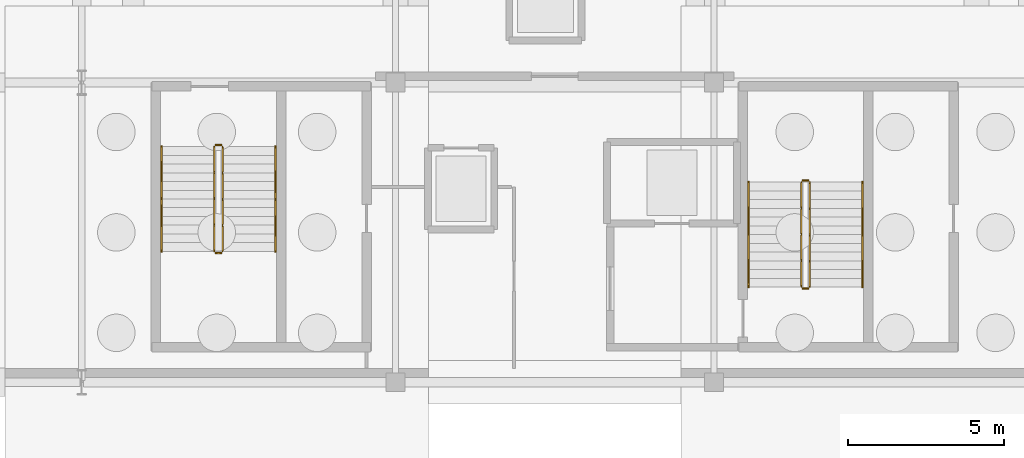
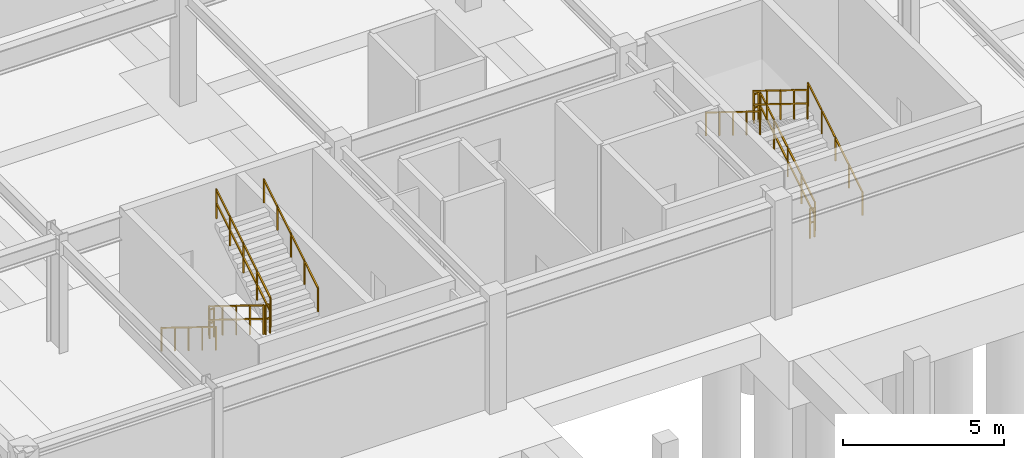
# One storey, part 50 of 59: 12 railings.
"""IFC4 building model written with IfcOpenShell, lengths in metres."""

from ifc_helpers import new_model, si_unit, direction, frame, origin, origin_2d, place, context, subcontext, project, spatial, rectangle, extrude, material, type_object, element, save


model = new_model("IFC4")

# Units and contexts
model_context = context("Model", 3, precision=1e-05, world=origin(), true_north=direction((0.0, 1.0)))
body_context = subcontext(model_context, "Body", "Model", "MODEL_VIEW")
ifc_project = project(units=[si_unit("LENGTHUNIT", "METRE"), si_unit("AREAUNIT", "SQUARE_METRE"), si_unit("VOLUMEUNIT", "CUBIC_METRE"), si_unit("PLANEANGLEUNIT", "RADIAN"), si_unit("MASSUNIT", "GRAM", prefix="KILO")], contexts=[model_context])

# Site, building, storey
site_placement = place(None, origin())
site = spatial("IfcSite", under=ifc_project, at=site_placement, CompositionType="ELEMENT")
building_placement = place(site_placement, origin())
building = spatial("IfcBuilding", under=site, at=building_placement, Name="Myrtia Square Station", CompositionType="ELEMENT")
storey_placement = place(building_placement, frame((0.0, 0.0, -4.5)))
storey = spatial("IfcBuildingStorey", under=building, at=storey_placement, Name="B01", CompositionType="ELEMENT", Elevation=-4.5)

# Railings
ifc_material_1 = material(Name="Dark bronze anodised aluminium", Category="aluminium")
railing_type_1 = type_object("IfcRailingType", Name="RL-HANDRAIL-900", PredefinedType="HANDRAIL", material=ifc_material_1)
railing_1_placement = place(storey_placement, frame((81.89990234375, 36.35009765625, 0.173095703125)))
element("IfcRailing", 1, at=railing_1_placement, inside=storey, type_object=railing_type_1, Name="B01 ST01 stair handrail 1", PredefinedType="HANDRAIL", context=body_context, shape_type="SweptSolid", body=[
    extrude(rectangle(XDim=0.048095703125, YDim=0.048095703125, at=origin_2d()), frame((0.0, -0.029541015625, 0.89404296875), z_axis=(0.0, -0.850623216509, 0.525775754039), x_axis=(1.0, 0.0, 0.0)), (0.0, 0.0, 1.0), 0.918212890625),
    extrude(rectangle(XDim=0.048095703125, YDim=0.048095703125, at=origin_2d()), frame((0.0, -0.869384765625, 1.413330078125), z_axis=(0.0, -0.850623216509, 0.525775754039), x_axis=(1.0, 0.0, 0.0)), (0.0, 0.0, 1.0), 0.918212890625),
    extrude(rectangle(XDim=0.048095703125, YDim=0.048095703125, at=origin_2d()), frame((0.0, -1.70947265625, 1.9326171875), z_axis=(0.0, -0.850623216509, 0.525775754039), x_axis=(1.0, 0.0, 0.0)), (0.0, 0.0, 1.0), 0.918212890625),
    extrude(rectangle(XDim=0.048095703125, YDim=0.048095703125, at=origin_2d()), frame((0.0, -2.549560546875, 2.45166015625), z_axis=(0.0, -0.850623216509, 0.525775754039), x_axis=(1.0, 0.0, 0.0)), (0.0, 0.0, 1.0), 0.918212890625),
    extrude(rectangle(XDim=0.0439453125, YDim=0.0439453125, at=origin_2d()), origin(), (0.0, 0.0, 1.0), 0.89990234375),
    extrude(rectangle(XDim=0.0439453125, YDim=0.0439453125, at=origin_2d()), frame((0.0, -0.840087890625, 0.519287109375)), (0.0, 0.0, 1.0), 0.89990234375),
    extrude(rectangle(XDim=0.0439453125, YDim=0.0439453125, at=origin_2d()), frame((0.0, -1.68017578125, 1.03857421875)), (0.0, 0.0, 1.0), 0.89990234375),
    extrude(rectangle(XDim=0.0439453125, YDim=0.0439453125, at=origin_2d()), frame((0.0, -2.52001953125, 1.5576171875)), (0.0, 0.0, 1.0), 0.89990234375),
    extrude(rectangle(XDim=0.0439453125, YDim=0.0439453125, at=origin_2d()), frame((0.0, -3.360107421875, 2.076904296875)), (0.0, 0.0, 1.0), 0.89990234375),
])
railing_2_placement = place(storey_placement, frame((85.56005859375, 32.989990234375, 2.423095703125)))
element("IfcRailing", 2, at=railing_2_placement, inside=storey, type_object=railing_type_1, Name="B01 ST01 stair handrail 2", PredefinedType="HANDRAIL", context=body_context, shape_type="SweptSolid", body=[
    extrude(rectangle(XDim=0.048095703125, YDim=0.048095703125, at=origin_2d()), frame((0.0, 0.029541015625, 0.89404296875), z_axis=(0.0, 0.850623216509, 0.525775754039), x_axis=(-1.0, 0.0, 0.0)), (0.0, 0.0, 1.0), 0.918212890625),
    extrude(rectangle(XDim=0.048095703125, YDim=0.048095703125, at=origin_2d()), frame((0.0, 0.869384765625, 1.413330078125), z_axis=(0.0, 0.850623216509, 0.525775754039), x_axis=(-1.0, 0.0, 0.0)), (0.0, 0.0, 1.0), 0.918212890625),
    extrude(rectangle(XDim=0.048095703125, YDim=0.048095703125, at=origin_2d()), frame((0.0, 1.70947265625, 1.9326171875), z_axis=(0.0, 0.850623216509, 0.525775754039), x_axis=(-1.0, 0.0, 0.0)), (0.0, 0.0, 1.0), 0.918212890625),
    extrude(rectangle(XDim=0.048095703125, YDim=0.048095703125, at=origin_2d()), frame((0.0, 2.549560546875, 2.45166015625), z_axis=(0.0, 0.850623216509, 0.525775754039), x_axis=(-1.0, 0.0, 0.0)), (0.0, 0.0, 1.0), 0.918212890625),
    extrude(rectangle(XDim=0.0439453125, YDim=0.0439453125, at=origin_2d()), origin(), (0.0, 0.0, 1.0), 0.89990234375),
    extrude(rectangle(XDim=0.0439453125, YDim=0.0439453125, at=origin_2d()), frame((0.0, 0.840087890625, 0.519287109375)), (0.0, 0.0, 1.0), 0.89990234375),
    extrude(rectangle(XDim=0.0439453125, YDim=0.0439453125, at=origin_2d()), frame((0.0, 1.68017578125, 1.03857421875)), (0.0, 0.0, 1.0), 0.89990234375),
    extrude(rectangle(XDim=0.0439453125, YDim=0.0439453125, at=origin_2d()), frame((0.0, 2.52001953125, 1.5576171875)), (0.0, 0.0, 1.0), 0.89990234375),
    extrude(rectangle(XDim=0.0439453125, YDim=0.0439453125, at=origin_2d()), frame((0.0, 3.360107421875, 2.076904296875)), (0.0, 0.0, 1.0), 0.89990234375),
])
railing_3_placement = place(storey_placement, frame((104.360107421875, 31.85009765625, 0.173095703125)))
element("IfcRailing", 3, at=railing_3_placement, inside=storey, type_object=railing_type_1, Name="B01 ST03 stair handrail 1", PredefinedType="HANDRAIL", context=body_context, shape_type="SweptSolid", body=[
    extrude(rectangle(XDim=0.048095703125, YDim=0.048095703125, at=origin_2d()), frame((0.0, 0.029541015625, 0.89404296875), z_axis=(0.0, 0.850606129759, 0.525803396734), x_axis=(-1.0, 0.0, 0.0)), (0.0, 0.0, 1.0), 0.918212890625),
    extrude(rectangle(XDim=0.048095703125, YDim=0.048095703125, at=origin_2d()), frame((0.0, 0.869384765625, 1.413330078125), z_axis=(0.0, 0.850606129759, 0.525803396734), x_axis=(-1.0, 0.0, 0.0)), (0.0, 0.0, 1.0), 0.918212890625),
    extrude(rectangle(XDim=0.048095703125, YDim=0.048095703125, at=origin_2d()), frame((0.0, 1.70947265625, 1.9326171875), z_axis=(0.0, 0.850606129759, 0.525803396734), x_axis=(-1.0, 0.0, 0.0)), (0.0, 0.0, 1.0), 0.918212890625),
    extrude(rectangle(XDim=0.048095703125, YDim=0.048095703125, at=origin_2d()), frame((0.0, 2.54931640625, 2.45166015625), z_axis=(0.0, 0.850606129759, 0.525803396734), x_axis=(-1.0, 0.0, 0.0)), (0.0, 0.0, 1.0), 0.918212890625),
    extrude(rectangle(XDim=0.0439453125, YDim=0.0439453125, at=origin_2d()), origin(), (0.0, 0.0, 1.0), 0.89990234375),
    extrude(rectangle(XDim=0.0439453125, YDim=0.0439453125, at=origin_2d()), frame((0.0, 0.83984375, 0.519287109375)), (0.0, 0.0, 1.0), 0.89990234375),
    extrude(rectangle(XDim=0.0439453125, YDim=0.0439453125, at=origin_2d()), frame((0.0, 1.679931640625, 1.03857421875)), (0.0, 0.0, 1.0), 0.89990234375),
    extrude(rectangle(XDim=0.0439453125, YDim=0.0439453125, at=origin_2d()), frame((0.0, 2.52001953125, 1.5576171875)), (0.0, 0.0, 1.0), 0.89990234375),
    extrude(rectangle(XDim=0.0439453125, YDim=0.0439453125, at=origin_2d()), frame((0.0, 3.35986328125, 2.076904296875)), (0.0, 0.0, 1.0), 0.89990234375),
])
railing_4_placement = place(storey_placement, frame((100.699951171875, 35.2099609375, 2.423095703125)))
element("IfcRailing", 4, at=railing_4_placement, inside=storey, type_object=railing_type_1, Name="B01 ST03 stair handrail 2", PredefinedType="HANDRAIL", context=body_context, shape_type="SweptSolid", body=[
    extrude(rectangle(XDim=0.048095703125, YDim=0.048095703125, at=origin_2d()), frame((0.0, -0.029541015625, 0.89404296875), z_axis=(0.0, -0.850606129759, 0.525803396734), x_axis=(1.0, 0.0, 0.0)), (0.0, 0.0, 1.0), 0.918212890625),
    extrude(rectangle(XDim=0.048095703125, YDim=0.048095703125, at=origin_2d()), frame((0.0, -0.869384765625, 1.413330078125), z_axis=(0.0, -0.850606129759, 0.525803396734), x_axis=(1.0, 0.0, 0.0)), (0.0, 0.0, 1.0), 0.918212890625),
    extrude(rectangle(XDim=0.048095703125, YDim=0.048095703125, at=origin_2d()), frame((0.0, -1.70947265625, 1.9326171875), z_axis=(0.0, -0.850606129759, 0.525803396734), x_axis=(1.0, 0.0, 0.0)), (0.0, 0.0, 1.0), 0.918212890625),
    extrude(rectangle(XDim=0.048095703125, YDim=0.048095703125, at=origin_2d()), frame((0.0, -2.54931640625, 2.45166015625), z_axis=(0.0, -0.850606129759, 0.525803396734), x_axis=(1.0, 0.0, 0.0)), (0.0, 0.0, 1.0), 0.918212890625),
    extrude(rectangle(XDim=0.0439453125, YDim=0.0439453125, at=origin_2d()), origin(), (0.0, 0.0, 1.0), 0.89990234375),
    extrude(rectangle(XDim=0.0439453125, YDim=0.0439453125, at=origin_2d()), frame((0.0, -0.83984375, 0.519287109375)), (0.0, 0.0, 1.0), 0.89990234375),
    extrude(rectangle(XDim=0.0439453125, YDim=0.0439453125, at=origin_2d()), frame((0.0, -1.679931640625, 1.03857421875)), (0.0, 0.0, 1.0), 0.89990234375),
    extrude(rectangle(XDim=0.0439453125, YDim=0.0439453125, at=origin_2d()), frame((0.0, -2.52001953125, 1.5576171875)), (0.0, 0.0, 1.0), 0.89990234375),
    extrude(rectangle(XDim=0.0439453125, YDim=0.0439453125, at=origin_2d()), frame((0.0, -3.35986328125, 2.076904296875)), (0.0, 0.0, 1.0), 0.89990234375),
])
ifc_material_2 = material(Name="Wrought iron", Category="steel")
railing_type_2 = type_object("IfcRailingType", Name="RL-INT-GUARD-1100", PredefinedType="BALUSTRADE", material=ifc_material_2)
railing_5_placement = place(storey_placement, frame((83.60009765625, 36.35009765625, 0.173095703125)))
element("IfcRailing", 5, at=railing_5_placement, inside=storey, type_object=railing_type_2, Name="B01 ST01 stair guard 1", PredefinedType="BALUSTRADE", context=body_context, shape_type="SweptSolid", body=[
    extrude(rectangle(XDim=0.048095703125, YDim=0.048095703125, at=origin_2d()), frame((0.0, -0.029541015625, 1.1142578125), z_axis=(0.0, -0.850623216509, 0.525775754039), x_axis=(1.0, 0.0, 0.0)), (0.0, 0.0, 1.0), 0.918212890625),
    extrude(rectangle(XDim=0.048095703125, YDim=0.048095703125, at=origin_2d()), frame((0.0, -0.029541015625, 0.6005859375), z_axis=(0.0, -0.850623216509, 0.525775754039), x_axis=(1.0, 0.0, 0.0)), (0.0, 0.0, 1.0), 0.918212890625),
    extrude(rectangle(XDim=0.048095703125, YDim=0.048095703125, at=origin_2d()), frame((0.0, -0.869384765625, 1.633544921875), z_axis=(0.0, -0.850623216509, 0.525775754039), x_axis=(1.0, 0.0, 0.0)), (0.0, 0.0, 1.0), 0.918212890625),
    extrude(rectangle(XDim=0.048095703125, YDim=0.048095703125, at=origin_2d()), frame((0.0, -0.869384765625, 1.119873046875), z_axis=(0.0, -0.850623216509, 0.525775754039), x_axis=(1.0, 0.0, 0.0)), (0.0, 0.0, 1.0), 0.918212890625),
    extrude(rectangle(XDim=0.048095703125, YDim=0.048095703125, at=origin_2d()), frame((0.0, -1.70947265625, 2.15283203125), z_axis=(0.0, -0.850623216509, 0.525775754039), x_axis=(1.0, 0.0, 0.0)), (0.0, 0.0, 1.0), 0.918212890625),
    extrude(rectangle(XDim=0.048095703125, YDim=0.048095703125, at=origin_2d()), frame((0.0, -1.70947265625, 1.63916015625), z_axis=(0.0, -0.850623216509, 0.525775754039), x_axis=(1.0, 0.0, 0.0)), (0.0, 0.0, 1.0), 0.918212890625),
    extrude(rectangle(XDim=0.048095703125, YDim=0.048095703125, at=origin_2d()), frame((0.0, -2.549560546875, 2.671875), z_axis=(0.0, -0.850623216509, 0.525775754039), x_axis=(1.0, 0.0, 0.0)), (0.0, 0.0, 1.0), 0.918212890625),
    extrude(rectangle(XDim=0.048095703125, YDim=0.048095703125, at=origin_2d()), frame((0.0, -2.549560546875, 2.158447265625), z_axis=(0.0, -0.850623216509, 0.525775754039), x_axis=(1.0, 0.0, 0.0)), (0.0, 0.0, 1.0), 0.918212890625),
    extrude(rectangle(XDim=0.0439453125, YDim=0.0439453125, at=origin_2d()), origin(), (0.0, 0.0, 1.0), 1.1201171875),
    extrude(rectangle(XDim=0.0439453125, YDim=0.0439453125, at=origin_2d()), frame((0.0, -0.840087890625, 0.519287109375)), (0.0, 0.0, 1.0), 1.1201171875),
    extrude(rectangle(XDim=0.0439453125, YDim=0.0439453125, at=origin_2d()), frame((0.0, -1.68017578125, 1.03857421875)), (0.0, 0.0, 1.0), 1.1201171875),
    extrude(rectangle(XDim=0.0439453125, YDim=0.0439453125, at=origin_2d()), frame((0.0, -2.52001953125, 1.5576171875)), (0.0, 0.0, 1.0), 1.1201171875),
    extrude(rectangle(XDim=0.0439453125, YDim=0.0439453125, at=origin_2d()), frame((0.0, -3.360107421875, 2.076904296875)), (0.0, 0.0, 1.0), 1.1201171875),
])
railing_6_placement = place(storey_placement, frame((83.64990234375, 32.93994140625, 2.25)))
element("IfcRailing", 6, at=railing_6_placement, inside=storey, type_object=railing_type_2, Name="B01 ST01 stair guard 2", PredefinedType="BALUSTRADE", context=body_context, shape_type="SweptSolid", body=[
    extrude(rectangle(XDim=0.048095703125, YDim=0.048095703125, at=origin_2d()), frame((0.03466796875, 0.0, 1.09619140625), z_axis=(1.0, 0.0, 0.0), x_axis=(0.0, 1.0, 0.0)), (0.0, 0.0, 1.0), 0.0908203125),
    extrude(rectangle(XDim=0.048095703125, YDim=0.048095703125, at=origin_2d()), frame((0.03466796875, 0.0, 0.58251953125), z_axis=(1.0, 0.0, 0.0), x_axis=(0.0, 1.0, 0.0)), (0.0, 0.0, 1.0), 0.0908203125),
    extrude(rectangle(XDim=0.0439453125, YDim=0.0439453125, at=origin_2d()), origin(), (0.0, 0.0, 1.0), 1.1201171875),
    extrude(rectangle(XDim=0.0439453125, YDim=0.0439453125, at=origin_2d()), frame((0.16015625, 0.0, 0.0)), (0.0, 0.0, 1.0), 1.1201171875),
])
railing_7_placement = place(storey_placement, frame((83.860107421875, 32.989990234375, 2.423095703125)))
element("IfcRailing", 7, at=railing_7_placement, inside=storey, type_object=railing_type_2, Name="B01 ST01 stair guard 3", PredefinedType="BALUSTRADE", context=body_context, shape_type="SweptSolid", body=[
    extrude(rectangle(XDim=0.048095703125, YDim=0.048095703125, at=origin_2d()), frame((0.0, 0.029541015625, 1.1142578125), z_axis=(0.0, 0.850623216509, 0.525775754039), x_axis=(-1.0, 0.0, 0.0)), (0.0, 0.0, 1.0), 0.918212890625),
    extrude(rectangle(XDim=0.048095703125, YDim=0.048095703125, at=origin_2d()), frame((0.0, 0.029541015625, 0.6005859375), z_axis=(0.0, 0.850623216509, 0.525775754039), x_axis=(-1.0, 0.0, 0.0)), (0.0, 0.0, 1.0), 0.918212890625),
    extrude(rectangle(XDim=0.048095703125, YDim=0.048095703125, at=origin_2d()), frame((0.0, 0.869384765625, 1.633544921875), z_axis=(0.0, 0.850623216509, 0.525775754039), x_axis=(-1.0, 0.0, 0.0)), (0.0, 0.0, 1.0), 0.918212890625),
    extrude(rectangle(XDim=0.048095703125, YDim=0.048095703125, at=origin_2d()), frame((0.0, 0.869384765625, 1.119873046875), z_axis=(0.0, 0.850623216509, 0.525775754039), x_axis=(-1.0, 0.0, 0.0)), (0.0, 0.0, 1.0), 0.918212890625),
    extrude(rectangle(XDim=0.048095703125, YDim=0.048095703125, at=origin_2d()), frame((0.0, 1.70947265625, 2.15283203125), z_axis=(0.0, 0.850623216509, 0.525775754039), x_axis=(-1.0, 0.0, 0.0)), (0.0, 0.0, 1.0), 0.918212890625),
    extrude(rectangle(XDim=0.048095703125, YDim=0.048095703125, at=origin_2d()), frame((0.0, 1.70947265625, 1.63916015625), z_axis=(0.0, 0.850623216509, 0.525775754039), x_axis=(-1.0, 0.0, 0.0)), (0.0, 0.0, 1.0), 0.918212890625),
    extrude(rectangle(XDim=0.048095703125, YDim=0.048095703125, at=origin_2d()), frame((0.0, 2.549560546875, 2.671875), z_axis=(0.0, 0.850623216509, 0.525775754039), x_axis=(-1.0, 0.0, 0.0)), (0.0, 0.0, 1.0), 0.918212890625),
    extrude(rectangle(XDim=0.048095703125, YDim=0.048095703125, at=origin_2d()), frame((0.0, 2.549560546875, 2.158447265625), z_axis=(0.0, 0.850623216509, 0.525775754039), x_axis=(-1.0, 0.0, 0.0)), (0.0, 0.0, 1.0), 0.918212890625),
    extrude(rectangle(XDim=0.0439453125, YDim=0.0439453125, at=origin_2d()), origin(), (0.0, 0.0, 1.0), 1.1201171875),
    extrude(rectangle(XDim=0.0439453125, YDim=0.0439453125, at=origin_2d()), frame((0.0, 0.840087890625, 0.519287109375)), (0.0, 0.0, 1.0), 1.1201171875),
    extrude(rectangle(XDim=0.0439453125, YDim=0.0439453125, at=origin_2d()), frame((0.0, 1.68017578125, 1.03857421875)), (0.0, 0.0, 1.0), 1.1201171875),
    extrude(rectangle(XDim=0.0439453125, YDim=0.0439453125, at=origin_2d()), frame((0.0, 2.52001953125, 1.5576171875)), (0.0, 0.0, 1.0), 1.1201171875),
    extrude(rectangle(XDim=0.0439453125, YDim=0.0439453125, at=origin_2d()), frame((0.0, 3.360107421875, 2.076904296875)), (0.0, 0.0, 1.0), 1.1201171875),
])
railing_8_placement = place(storey_placement, frame((83.64990234375, 36.39990234375, 0.0)))
element("IfcRailing", 8, at=railing_8_placement, inside=storey, type_object=railing_type_2, Name="B01 ST01 stair guard 4", PredefinedType="BALUSTRADE", context=body_context, shape_type="SweptSolid", body=[
    extrude(rectangle(XDim=0.048095703125, YDim=0.048095703125, at=origin_2d()), frame((0.03466796875, 0.0, 1.09619140625), z_axis=(1.0, 0.0, 0.0), x_axis=(0.0, 1.0, 0.0)), (0.0, 0.0, 1.0), 0.0908203125),
    extrude(rectangle(XDim=0.048095703125, YDim=0.048095703125, at=origin_2d()), frame((0.03466796875, 0.0, 0.58251953125), z_axis=(1.0, 0.0, 0.0), x_axis=(0.0, 1.0, 0.0)), (0.0, 0.0, 1.0), 0.0908203125),
    extrude(rectangle(XDim=0.0439453125, YDim=0.0439453125, at=origin_2d()), origin(), (0.0, 0.0, 1.0), 1.1201171875),
    extrude(rectangle(XDim=0.0439453125, YDim=0.0439453125, at=origin_2d()), frame((0.16015625, 0.0, 0.0)), (0.0, 0.0, 1.0), 1.1201171875),
])
railing_9_placement = place(storey_placement, frame((102.659912109375, 31.85009765625, 0.173095703125)))
element("IfcRailing", 9, at=railing_9_placement, inside=storey, type_object=railing_type_2, Name="B01 ST03 stair guard 1", PredefinedType="BALUSTRADE", context=body_context, shape_type="SweptSolid", body=[
    extrude(rectangle(XDim=0.048095703125, YDim=0.048095703125, at=origin_2d()), frame((0.0, 0.029541015625, 1.1142578125), z_axis=(0.0, 0.850606129759, 0.525803396734), x_axis=(-1.0, 0.0, 0.0)), (0.0, 0.0, 1.0), 0.918212890625),
    extrude(rectangle(XDim=0.048095703125, YDim=0.048095703125, at=origin_2d()), frame((0.0, 0.029541015625, 0.6005859375), z_axis=(0.0, 0.850606129759, 0.525803396734), x_axis=(-1.0, 0.0, 0.0)), (0.0, 0.0, 1.0), 0.918212890625),
    extrude(rectangle(XDim=0.048095703125, YDim=0.048095703125, at=origin_2d()), frame((0.0, 0.869384765625, 1.633544921875), z_axis=(0.0, 0.850606129759, 0.525803396734), x_axis=(-1.0, 0.0, 0.0)), (0.0, 0.0, 1.0), 0.918212890625),
    extrude(rectangle(XDim=0.048095703125, YDim=0.048095703125, at=origin_2d()), frame((0.0, 0.869384765625, 1.119873046875), z_axis=(0.0, 0.850606129759, 0.525803396734), x_axis=(-1.0, 0.0, 0.0)), (0.0, 0.0, 1.0), 0.918212890625),
    extrude(rectangle(XDim=0.048095703125, YDim=0.048095703125, at=origin_2d()), frame((0.0, 1.70947265625, 2.15283203125), z_axis=(0.0, 0.850606129759, 0.525803396734), x_axis=(-1.0, 0.0, 0.0)), (0.0, 0.0, 1.0), 0.918212890625),
    extrude(rectangle(XDim=0.048095703125, YDim=0.048095703125, at=origin_2d()), frame((0.0, 1.70947265625, 1.63916015625), z_axis=(0.0, 0.850606129759, 0.525803396734), x_axis=(-1.0, 0.0, 0.0)), (0.0, 0.0, 1.0), 0.918212890625),
    extrude(rectangle(XDim=0.048095703125, YDim=0.048095703125, at=origin_2d()), frame((0.0, 2.54931640625, 2.671875), z_axis=(0.0, 0.850606129759, 0.525803396734), x_axis=(-1.0, 0.0, 0.0)), (0.0, 0.0, 1.0), 0.918212890625),
    extrude(rectangle(XDim=0.048095703125, YDim=0.048095703125, at=origin_2d()), frame((0.0, 2.54931640625, 2.158447265625), z_axis=(0.0, 0.850606129759, 0.525803396734), x_axis=(-1.0, 0.0, 0.0)), (0.0, 0.0, 1.0), 0.918212890625),
    extrude(rectangle(XDim=0.0439453125, YDim=0.0439453125, at=origin_2d()), origin(), (0.0, 0.0, 1.0), 1.1201171875),
    extrude(rectangle(XDim=0.0439453125, YDim=0.0439453125, at=origin_2d()), frame((0.0, 0.83984375, 0.519287109375)), (0.0, 0.0, 1.0), 1.1201171875),
    extrude(rectangle(XDim=0.0439453125, YDim=0.0439453125, at=origin_2d()), frame((0.0, 1.679931640625, 1.03857421875)), (0.0, 0.0, 1.0), 1.1201171875),
    extrude(rectangle(XDim=0.0439453125, YDim=0.0439453125, at=origin_2d()), frame((0.0, 2.52001953125, 1.5576171875)), (0.0, 0.0, 1.0), 1.1201171875),
    extrude(rectangle(XDim=0.0439453125, YDim=0.0439453125, at=origin_2d()), frame((0.0, 3.35986328125, 2.076904296875)), (0.0, 0.0, 1.0), 1.1201171875),
])
railing_10_placement = place(storey_placement, frame((102.610107421875, 35.260009765625, 2.25)))
element("IfcRailing", 10, at=railing_10_placement, inside=storey, type_object=railing_type_2, Name="B01 ST03 stair guard 2", PredefinedType="BALUSTRADE", context=body_context, shape_type="SweptSolid", body=[
    extrude(rectangle(XDim=0.048095703125, YDim=0.048095703125, at=origin_2d()), frame((-0.03466796875, 0.0, 1.09619140625), z_axis=(-1.0, 0.0, 0.0), x_axis=(0.0, -1.0, 0.0)), (0.0, 0.0, 1.0), 0.0908203125),
    extrude(rectangle(XDim=0.048095703125, YDim=0.048095703125, at=origin_2d()), frame((-0.03466796875, 0.0, 0.58251953125), z_axis=(-1.0, 0.0, 0.0), x_axis=(0.0, -1.0, 0.0)), (0.0, 0.0, 1.0), 0.0908203125),
    extrude(rectangle(XDim=0.0439453125, YDim=0.0439453125, at=origin_2d()), origin(), (0.0, 0.0, 1.0), 1.1201171875),
    extrude(rectangle(XDim=0.0439453125, YDim=0.0439453125, at=origin_2d()), frame((-0.16015625, 0.0, 0.0)), (0.0, 0.0, 1.0), 1.1201171875),
])
railing_11_placement = place(storey_placement, frame((102.39990234375, 35.2099609375, 2.423095703125)))
element("IfcRailing", 11, at=railing_11_placement, inside=storey, type_object=railing_type_2, Name="B01 ST03 stair guard 3", PredefinedType="BALUSTRADE", context=body_context, shape_type="SweptSolid", body=[
    extrude(rectangle(XDim=0.048095703125, YDim=0.048095703125, at=origin_2d()), frame((0.0, -0.029541015625, 1.1142578125), z_axis=(0.0, -0.850606129759, 0.525803396734), x_axis=(1.0, 0.0, 0.0)), (0.0, 0.0, 1.0), 0.918212890625),
    extrude(rectangle(XDim=0.048095703125, YDim=0.048095703125, at=origin_2d()), frame((0.0, -0.029541015625, 0.6005859375), z_axis=(0.0, -0.850606129759, 0.525803396734), x_axis=(1.0, 0.0, 0.0)), (0.0, 0.0, 1.0), 0.918212890625),
    extrude(rectangle(XDim=0.048095703125, YDim=0.048095703125, at=origin_2d()), frame((0.0, -0.869384765625, 1.633544921875), z_axis=(0.0, -0.850606129759, 0.525803396734), x_axis=(1.0, 0.0, 0.0)), (0.0, 0.0, 1.0), 0.918212890625),
    extrude(rectangle(XDim=0.048095703125, YDim=0.048095703125, at=origin_2d()), frame((0.0, -0.869384765625, 1.119873046875), z_axis=(0.0, -0.850606129759, 0.525803396734), x_axis=(1.0, 0.0, 0.0)), (0.0, 0.0, 1.0), 0.918212890625),
    extrude(rectangle(XDim=0.048095703125, YDim=0.048095703125, at=origin_2d()), frame((0.0, -1.70947265625, 2.15283203125), z_axis=(0.0, -0.850606129759, 0.525803396734), x_axis=(1.0, 0.0, 0.0)), (0.0, 0.0, 1.0), 0.918212890625),
    extrude(rectangle(XDim=0.048095703125, YDim=0.048095703125, at=origin_2d()), frame((0.0, -1.70947265625, 1.63916015625), z_axis=(0.0, -0.850606129759, 0.525803396734), x_axis=(1.0, 0.0, 0.0)), (0.0, 0.0, 1.0), 0.918212890625),
    extrude(rectangle(XDim=0.048095703125, YDim=0.048095703125, at=origin_2d()), frame((0.0, -2.54931640625, 2.671875), z_axis=(0.0, -0.850606129759, 0.525803396734), x_axis=(1.0, 0.0, 0.0)), (0.0, 0.0, 1.0), 0.918212890625),
    extrude(rectangle(XDim=0.048095703125, YDim=0.048095703125, at=origin_2d()), frame((0.0, -2.54931640625, 2.158447265625), z_axis=(0.0, -0.850606129759, 0.525803396734), x_axis=(1.0, 0.0, 0.0)), (0.0, 0.0, 1.0), 0.918212890625),
    extrude(rectangle(XDim=0.0439453125, YDim=0.0439453125, at=origin_2d()), origin(), (0.0, 0.0, 1.0), 1.1201171875),
    extrude(rectangle(XDim=0.0439453125, YDim=0.0439453125, at=origin_2d()), frame((0.0, -0.83984375, 0.519287109375)), (0.0, 0.0, 1.0), 1.1201171875),
    extrude(rectangle(XDim=0.0439453125, YDim=0.0439453125, at=origin_2d()), frame((0.0, -1.679931640625, 1.03857421875)), (0.0, 0.0, 1.0), 1.1201171875),
    extrude(rectangle(XDim=0.0439453125, YDim=0.0439453125, at=origin_2d()), frame((0.0, -2.52001953125, 1.5576171875)), (0.0, 0.0, 1.0), 1.1201171875),
    extrude(rectangle(XDim=0.0439453125, YDim=0.0439453125, at=origin_2d()), frame((0.0, -3.35986328125, 2.076904296875)), (0.0, 0.0, 1.0), 1.1201171875),
])
railing_12_placement = place(storey_placement, frame((102.610107421875, 31.800048828125, 0.0)))
element("IfcRailing", 12, at=railing_12_placement, inside=storey, type_object=railing_type_2, Name="B01 ST03 stair guard 4", PredefinedType="BALUSTRADE", context=body_context, shape_type="SweptSolid", body=[
    extrude(rectangle(XDim=0.048095703125, YDim=0.048095703125, at=origin_2d()), frame((-0.03466796875, 0.0, 1.09619140625), z_axis=(-1.0, 0.0, 0.0), x_axis=(0.0, -1.0, 0.0)), (0.0, 0.0, 1.0), 0.0908203125),
    extrude(rectangle(XDim=0.048095703125, YDim=0.048095703125, at=origin_2d()), frame((-0.03466796875, 0.0, 0.58251953125), z_axis=(-1.0, 0.0, 0.0), x_axis=(0.0, -1.0, 0.0)), (0.0, 0.0, 1.0), 0.0908203125),
    extrude(rectangle(XDim=0.0439453125, YDim=0.0439453125, at=origin_2d()), origin(), (0.0, 0.0, 1.0), 1.1201171875),
    extrude(rectangle(XDim=0.0439453125, YDim=0.0439453125, at=origin_2d()), frame((-0.16015625, 0.0, 0.0)), (0.0, 0.0, 1.0), 1.1201171875),
])

save(model, "model.ifc")
